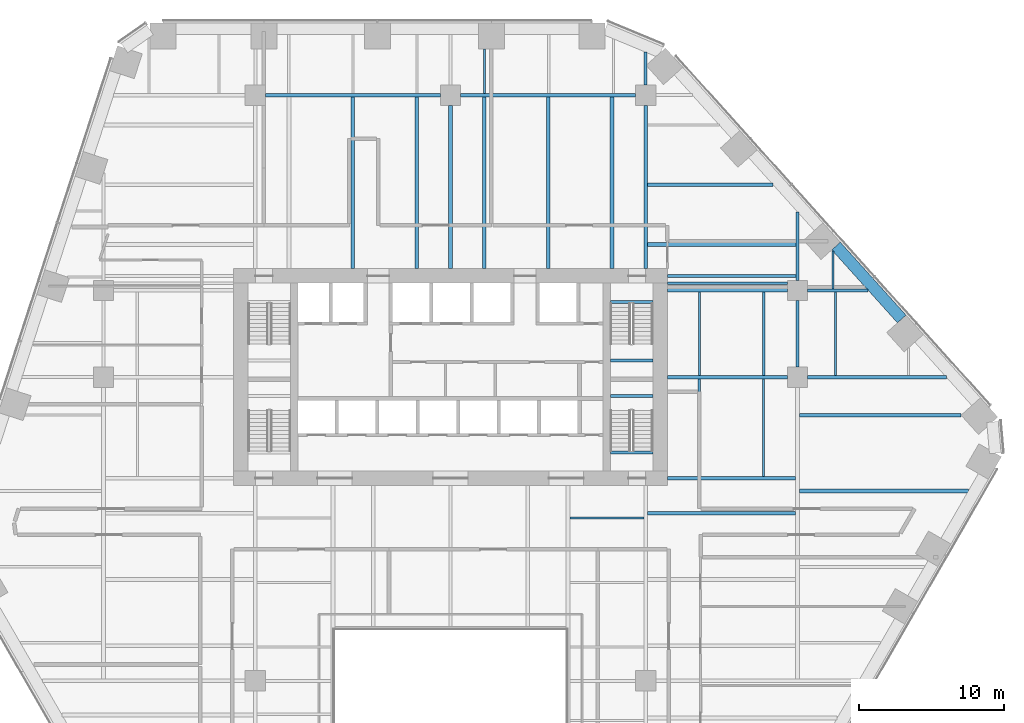
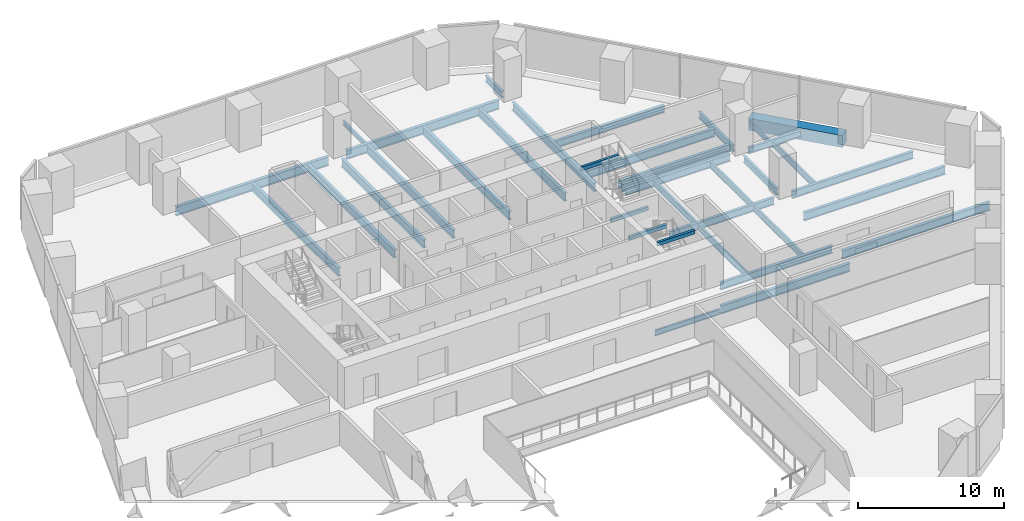
# One storey, part 9 of 20: 37 beams.
"""IFC4 building model written with IfcOpenShell, lengths in metres."""

from ifc_helpers import new_model, si_unit, direction, frame, origin, origin_2d, place, context, subcontext, project, spatial, rectangle, i_section, extrude, material, material_profile, profile_set, type_object, element, save


model = new_model("IFC4")

# Units and contexts
model_context = context("Model", 3, precision=1e-05, world=origin(), true_north=direction((0.0, 1.0)))
body_context = subcontext(model_context, "Body", "Model", "MODEL_VIEW")
ifc_project = project(units=[si_unit("LENGTHUNIT", "METRE"), si_unit("AREAUNIT", "SQUARE_METRE"), si_unit("VOLUMEUNIT", "CUBIC_METRE"), si_unit("PLANEANGLEUNIT", "RADIAN"), si_unit("MASSUNIT", "GRAM", prefix="KILO")], contexts=[model_context])

# Site, building, storey
site_placement = place(None, origin())
site = spatial("IfcSite", under=ifc_project, at=site_placement, CompositionType="ELEMENT")
building_placement = place(site_placement, origin())
building = spatial("IfcBuilding", under=site, at=building_placement, Name="Isthmus Gate Tower", CompositionType="ELEMENT")
storey_placement = place(building_placement, frame((0.0, 0.0, 65.199951171875)))
storey = spatial("IfcBuildingStorey", under=building, at=storey_placement, Name="L14", CompositionType="ELEMENT", Elevation=65.199951171875)

# Beams
ifc_material_1 = material(Name="Concrete f'c 70 MPa", Category="concrete")
ifc_material_profile_1 = material_profile(ifc_material_1, rectangle(XDim=0.800048828125, YDim=1.0, at=origin_2d()), Name="RC 800X1000")
ifc_profile_set_1 = profile_set([ifc_material_profile_1], Name="Concrete f'c 70 MPa")
beam_type_1 = type_object("IfcBeamType", Name="RC SPANDREL 800 X 1000", PredefinedType="SPANDREL", material=ifc_profile_set_1)
beam_1_placement = place(storey_placement, frame((26.664794921875, 16.566162109375, -0.5), z_axis=(0.669117690519, -0.743156454748, 0.0), x_axis=(0.743156454748, 0.669117690519, 0.0)))
element("IfcBeam", 1, at=beam_1_placement, inside=storey, type_object=beam_type_1, Name="str-spandrel-L14-03", PredefinedType="SPANDREL", context=body_context, shape_type="SweptSolid", body=[
    extrude(rectangle(XDim=0.800048828125, YDim=1.0, at=origin_2d()), origin(), (0.0, 0.0, 1.0), 6.78955078125),
])
ifc_material_2 = material(Name="Concrete f'c 40 MPa", Category="concrete")
ifc_material_profile_2 = material_profile(ifc_material_2, rectangle(XDim=0.199951171875, YDim=0.300048828125, at=origin_2d()), Name="STAIR LANDING BEAM RC 200 X 300")
ifc_profile_set_2 = profile_set([ifc_material_profile_2], Name="Concrete f'c 40 MPa")
beam_type_2 = type_object("IfcBeamType", Name="STAIR LANDING BEAM RC 200 X 300", PredefinedType="BEAM", material=ifc_profile_set_2)
for number, where, z_axis, x_axis, name in (
    (2, (11.050048828125, 8.64990234375, 1.47509765625), (1.0, 0.0, 0.0), (0.0, 1.0, 0.0), "L14 ST2 landing beam 1"),
    (3, (11.050048828125, 12.7001953125, 3.35009765625), (1.0, 0.0, 0.0), (0.0, 1.0, 0.0), "L14 ST2 floor-edge seat beam"),
    (4, (11.050048828125, 6.199951171875, 1.47509765625), (1.0, 0.0, 0.0), (0.0, 1.0, 0.0), "L14 ST8 landing beam 1"),
    (5, (11.050048828125, 2.2998046875, 3.35009765625), (1.0, 0.0, 0.0), (0.0, 1.0, 0.0), "L14 ST8 floor-edge seat beam"),
):
    element("IfcBeam", number, at=place(storey_placement, frame(where, z_axis=z_axis, x_axis=x_axis)), inside=storey, type_object=beam_type_2, Name=name, PredefinedType="BEAM", context=body_context, shape_type="SweptSolid", body=[
        extrude(rectangle(XDim=0.199951171875, YDim=0.300048828125, at=origin_2d()), origin(), (0.0, 0.0, 1.0), 2.949951171875),
    ])
ifc_material_3 = material(Name="Structural steel ASTM A992 Gr 50", Category="steel")
ifc_material_profile_3 = material_profile(ifc_material_3, i_section(OverallWidth=0.1396484375, OverallDepth=0.4033203125, WebThickness=0.00634765625, FlangeThickness=0.010986328125, at=origin_2d()), Name="W16X31")
ifc_profile_set_3 = profile_set([ifc_material_profile_3], Name="Structural steel ASTM A992 Gr 50")
beam_type_3 = type_object("IfcBeamType", Name="STEEL FLOOR BEAM W16X31", PredefinedType="JOIST", material=ifc_profile_set_3)
beam_2_placement = place(storey_placement, frame((2.33740234375, 27.1318359375, -0.3515625), z_axis=(0.0, 1.0, 0.0), x_axis=(-1.0, 0.0, 0.0)))
element("IfcBeam", 6, at=beam_2_placement, inside=storey, type_object=beam_type_3, Name="str-beam-L14-19-00", PredefinedType="JOIST", context=body_context, shape_type="SweptSolid", body=[
    extrude(i_section(OverallWidth=0.1396484375, OverallDepth=0.4033203125, WebThickness=0.00634765625, FlangeThickness=0.010986328125, at=origin_2d()), origin(), (0.0, 0.0, 1.0), 3.068115234375),
])
beam_3_placement = place(storey_placement, frame((26.448974609375, 13.604736328125, -0.3515625), z_axis=(0.0, 1.0, 0.0), x_axis=(-1.0, 0.0, 0.0)))
element("IfcBeam", 7, at=beam_3_placement, inside=storey, type_object=beam_type_3, Name="str-beam-L14-32-00", PredefinedType="JOIST", context=body_context, shape_type="SweptSolid", body=[
    extrude(i_section(OverallWidth=0.1396484375, OverallDepth=0.4033203125, WebThickness=0.00634765625, FlangeThickness=0.010986328125, at=origin_2d()), origin(), (0.0, 0.0, 1.0), 2.603515625),
])
ifc_material_4 = material(Name="Structural steel ASTM A992 Gr 50", Category="steel")
ifc_material_profile_4 = material_profile(ifc_material_4, i_section(OverallWidth=0.15234375, OverallDepth=0.45068359375, WebThickness=0.0078125, FlangeThickness=0.010986328125, at=origin_2d()), Name="W18X35")
ifc_profile_set_4 = profile_set([ifc_material_profile_4], Name="Structural steel ASTM A992 Gr 50")
beam_type_4 = type_object("IfcBeamType", Name="STEEL FLOOR BEAM W18X35", PredefinedType="JOIST", material=ifc_profile_set_4)
beam_4_placement = place(storey_placement, frame((8.263427734375, -2.232421875, -0.375244140625), z_axis=(1.0, 0.0, 0.0), x_axis=(0.0, 1.0, 0.0)))
element("IfcBeam", 8, at=beam_4_placement, inside=storey, type_object=beam_type_4, Name="str-beam-L14-23-02", PredefinedType="JOIST", context=body_context, shape_type="SweptSolid", body=[
    extrude(i_section(OverallWidth=0.15234375, OverallDepth=0.45068359375, WebThickness=0.0078125, FlangeThickness=0.010986328125, at=origin_2d()), origin(), (0.0, 0.0, 1.0), 5.104736328125),
])
ifc_material_5 = material(Name="Structural steel ASTM A992 Gr 50", Category="steel")
ifc_material_profile_5 = material_profile(ifc_material_5, i_section(OverallWidth=0.1650390625, OverallDepth=0.52392578125, WebThickness=0.009521484375, FlangeThickness=0.010986328125, at=origin_2d()), Name="W21X44")
ifc_profile_set_5 = profile_set([ifc_material_profile_5], Name="Structural steel ASTM A992 Gr 50")
beam_type_5 = type_object("IfcBeamType", Name="STEEL FLOOR BEAM W21X44", PredefinedType="JOIST", material=ifc_profile_set_5)
for number, where, z_axis, x_axis, name in (
    (9, (17.223876953125, 7.6142578125, -0.411865234375), (0.0, 1.0, 0.0), (-1.0, 0.0, 0.0), "str-beam-L14-30-00"),
    (10, (21.67138671875, 7.6142578125, -0.411865234375), (0.0, 1.0, 0.0), (-1.0, 0.0, 0.0), "str-beam-L14-30-01"),
):
    element("IfcBeam", number, at=place(storey_placement, frame(where, z_axis=z_axis, x_axis=x_axis)), inside=storey, type_object=beam_type_5, Name=name, PredefinedType="JOIST", context=body_context, shape_type="SweptSolid", body=[
        extrude(i_section(OverallWidth=0.1650390625, OverallDepth=0.52392578125, WebThickness=0.009521484375, FlangeThickness=0.010986328125, at=origin_2d()), origin(), (0.0, 0.0, 1.0), 5.771484375),
    ])
for number, where, z_axis, x_axis, name in (
    (11, (17.216552734375, 0.6142578125, -0.411865234375), (0.0, 1.0, 0.0), (-1.0, 0.0, 0.0), "str-beam-L14-31-00"),
    (12, (21.64990234375, 0.6142578125, -0.411865234375), (0.0, 1.0, 0.0), (-1.0, 0.0, 0.0), "str-beam-L14-31-01"),
):
    element("IfcBeam", number, at=place(storey_placement, frame(where, z_axis=z_axis, x_axis=x_axis)), inside=storey, type_object=beam_type_5, Name=name, PredefinedType="JOIST", context=body_context, shape_type="SweptSolid", body=[
        extrude(i_section(OverallWidth=0.1650390625, OverallDepth=0.52392578125, WebThickness=0.009521484375, FlangeThickness=0.010986328125, at=origin_2d()), origin(), (0.0, 0.0, 1.0), 6.771484375),
    ])
beam_5_placement = place(storey_placement, frame((26.625244140625, 7.6142578125, -0.411865234375), z_axis=(0.0, 1.0, 0.0), x_axis=(-1.0, 0.0, 0.0)))
element("IfcBeam", 13, at=beam_5_placement, inside=storey, type_object=beam_type_5, Name="str-beam-L14-33-00", PredefinedType="JOIST", context=body_context, shape_type="SweptSolid", body=[
    extrude(i_section(OverallWidth=0.1650390625, OverallDepth=0.52392578125, WebThickness=0.009521484375, FlangeThickness=0.010986328125, at=origin_2d()), origin(), (0.0, 0.0, 1.0), 5.781005859375),
])
ifc_material_6 = material(Name="Structural steel ASTM A992 Gr 50", Category="steel")
ifc_material_profile_6 = material_profile(ifc_material_6, i_section(OverallWidth=0.177734375, OverallDepth=0.60009765625, WebThickness=0.009521484375, FlangeThickness=0.0126953125, at=origin_2d()), Name="W24X55")
ifc_profile_set_6 = profile_set([ifc_material_profile_6], Name="Structural steel ASTM A992 Gr 50")
beam_type_6 = type_object("IfcBeamType", Name="STEEL FLOOR BEAM W24X55", PredefinedType="JOIST", material=ifc_profile_set_6)
beam_6_placement = place(storey_placement, frame((15.0, 14.0, -0.449951171875), z_axis=(1.0, 0.0, 0.0), x_axis=(0.0, 1.0, 0.0)))
element("IfcBeam", 14, at=beam_6_placement, inside=storey, type_object=beam_type_6, Name="str-beam-L14-29-00", PredefinedType="JOIST", context=body_context, shape_type="SweptSolid", body=[
    extrude(i_section(OverallWidth=0.177734375, OverallDepth=0.60009765625, WebThickness=0.009521484375, FlangeThickness=0.0126953125, at=origin_2d()), origin(), (0.0, 0.0, 1.0), 8.300048828125),
])
ifc_material_7 = material(Name="Structural steel ASTM A992 Gr 50", Category="steel")
ifc_material_profile_7 = material_profile(ifc_material_7, i_section(OverallWidth=0.228515625, OverallDepth=0.603271484375, WebThickness=0.010986328125, FlangeThickness=0.014404296875, at=origin_2d()), Name="W24X68")
ifc_profile_set_7 = profile_set([ifc_material_profile_7], Name="Structural steel ASTM A992 Gr 50")
beam_type_7 = type_object("IfcBeamType", Name="STEEL FLOOR BEAM W24X68", PredefinedType="JOIST", material=ifc_profile_set_7)
beam_7_placement = place(storey_placement, frame((13.626953125, 20.80712890625, -0.45166015625), z_axis=(1.0, 0.0, 0.0), x_axis=(0.0, 1.0, 0.0)))
element("IfcBeam", 15, at=beam_7_placement, inside=storey, type_object=beam_type_7, Name="str-beam-L14-26-01", PredefinedType="JOIST", context=body_context, shape_type="SweptSolid", body=[
    extrude(i_section(OverallWidth=0.228515625, OverallDepth=0.603271484375, WebThickness=0.010986328125, FlangeThickness=0.014404296875, at=origin_2d()), origin(), (0.0, 0.0, 1.0), 8.680908203125),
])
ifc_material_8 = material(Name="Structural steel ASTM A992 Gr 50", Category="steel")
ifc_material_profile_8 = material_profile(ifc_material_8, i_section(OverallWidth=0.25390625, OverallDepth=0.679443359375, WebThickness=0.010986328125, FlangeThickness=0.015869140625, at=origin_2d()), Name="W27X84")
ifc_profile_set_8 = profile_set([ifc_material_profile_8], Name="Structural steel ASTM A992 Gr 50")
beam_type_8 = type_object("IfcBeamType", Name="STEEL FLOOR BEAM W27X84", PredefinedType="JOIST", material=ifc_profile_set_8)
for number, where, z_axis, x_axis, name in (
    (16, (-6.75, 15.0, -0.48974609375), (0.0, 1.0, 0.0), (-1.0, 0.0, 0.0), "str-beam-L14-13-01"),
    (17, (-2.334716796875, 15.0, -0.48974609375), (0.0, 1.0, 0.0), (-1.0, 0.0, 0.0), "str-beam-L14-13-02"),
    (18, (2.334716796875, 15.0, -0.48974609375), (0.0, 1.0, 0.0), (-1.0, 0.0, 0.0), "str-beam-L14-20-00"),
    (19, (6.75, 15.0, -0.48974609375), (0.0, 1.0, 0.0), (-1.0, 0.0, 0.0), "str-beam-L14-20-01"),
    (20, (11.165283203125, 15.0, -0.48974609375), (0.0, 1.0, 0.0), (-1.0, 0.0, 0.0), "str-beam-L14-20-02"),
):
    element("IfcBeam", number, at=place(storey_placement, frame(where, z_axis=z_axis, x_axis=x_axis)), inside=storey, type_object=beam_type_8, Name=name, PredefinedType="JOIST", context=body_context, shape_type="SweptSolid", body=[
        extrude(i_section(OverallWidth=0.25390625, OverallDepth=0.679443359375, WebThickness=0.010986328125, FlangeThickness=0.015869140625, at=origin_2d()), origin(), (0.0, 0.0, 1.0), 11.8681640625),
    ])
beam_8_placement = place(storey_placement, frame((13.626953125, 16.678466796875, -0.48974609375), z_axis=(1.0, 0.0, 0.0), x_axis=(0.0, 1.0, 0.0)))
element("IfcBeam", 21, at=beam_8_placement, inside=storey, type_object=beam_type_8, Name="str-beam-L14-26-00", PredefinedType="JOIST", context=body_context, shape_type="SweptSolid", body=[
    extrude(i_section(OverallWidth=0.25390625, OverallDepth=0.679443359375, WebThickness=0.010986328125, FlangeThickness=0.015869140625, at=origin_2d()), origin(), (0.0, 0.0, 1.0), 10.268310546875),
])
beam_9_placement = place(storey_placement, frame((13.6318359375, -1.90625, -0.48974609375), z_axis=(1.0, 0.0, 0.0), x_axis=(0.0, 1.0, 0.0)))
element("IfcBeam", 22, at=beam_9_placement, inside=storey, type_object=beam_type_8, Name="str-beam-L14-27-02", PredefinedType="JOIST", context=body_context, shape_type="SweptSolid", body=[
    extrude(i_section(OverallWidth=0.25390625, OverallDepth=0.679443359375, WebThickness=0.010986328125, FlangeThickness=0.015869140625, at=origin_2d()), origin(), (0.0, 0.0, 1.0), 10.23486328125),
])
beam_10_placement = place(storey_placement, frame((24.13330078125, -0.375, -0.48974609375), z_axis=(1.0, 0.0, 0.0), x_axis=(0.0, 1.0, 0.0)))
element("IfcBeam", 23, at=beam_10_placement, inside=storey, type_object=beam_type_8, Name="str-beam-L14-34-02", PredefinedType="JOIST", context=body_context, shape_type="SweptSolid", body=[
    extrude(i_section(OverallWidth=0.25390625, OverallDepth=0.679443359375, WebThickness=0.010986328125, FlangeThickness=0.015869140625, at=origin_2d()), origin(), (0.0, 0.0, 1.0), 11.6767578125),
])
beam_11_placement = place(storey_placement, frame((24.13330078125, 4.875, -0.48974609375), z_axis=(1.0, 0.0, 0.0), x_axis=(0.0, 1.0, 0.0)))
element("IfcBeam", 24, at=beam_11_placement, inside=storey, type_object=beam_type_8, Name="str-beam-L14-34-03", PredefinedType="JOIST", context=body_context, shape_type="SweptSolid", body=[
    extrude(i_section(OverallWidth=0.25390625, OverallDepth=0.679443359375, WebThickness=0.010986328125, FlangeThickness=0.015869140625, at=origin_2d()), origin(), (0.0, 0.0, 1.0), 11.185302734375),
])
ifc_material_9 = material(Name="Structural steel ASTM A992 Gr 50", Category="steel")
ifc_material_profile_9 = material_profile(ifc_material_9, i_section(OverallWidth=0.20947265625, OverallDepth=0.533447265625, WebThickness=0.009521484375, FlangeThickness=0.015869140625, at=origin_2d()), Name="W21X62")
ifc_profile_set_9 = profile_set([ifc_material_profile_9], Name="Structural steel ASTM A992 Gr 50")
beam_type_9 = type_object("IfcBeamType", Name="STEEL GIRDER W21X62", PredefinedType="BEAM", material=ifc_profile_set_9)
beam_12_placement = place(storey_placement, frame((24.699951171875, 13.5, -0.416748046875), z_axis=(1.0, 0.0, 0.0), x_axis=(0.0, 1.0, 0.0)))
element("IfcBeam", 25, at=beam_12_placement, inside=storey, type_object=beam_type_9, Name="str-girder-L14-15", PredefinedType="BEAM", context=body_context, shape_type="SweptSolid", body=[
    extrude(i_section(OverallWidth=0.20947265625, OverallDepth=0.533447265625, WebThickness=0.009521484375, FlangeThickness=0.015869140625, at=origin_2d()), origin(), (0.0, 0.0, 1.0), 4.187255859375),
])
beam_13_placement = place(storey_placement, frame((13.5, 27.699951171875, -0.416748046875), z_axis=(0.0, 1.0, 0.0), x_axis=(-1.0, 0.0, 0.0)))
element("IfcBeam", 26, at=beam_13_placement, inside=storey, type_object=beam_type_9, Name="str-girder-L14-34", PredefinedType="BEAM", context=body_context, shape_type="SweptSolid", body=[
    extrude(i_section(OverallWidth=0.20947265625, OverallDepth=0.533447265625, WebThickness=0.009521484375, FlangeThickness=0.015869140625, at=origin_2d()), origin(), (0.0, 0.0, 1.0), 2.27001953125),
])
beam_14_placement = place(storey_placement, frame((24.0, 8.199951171875, -0.416748046875), z_axis=(0.0, 1.0, 0.0), x_axis=(-1.0, 0.0, 0.0)))
element("IfcBeam", 27, at=beam_14_placement, inside=storey, type_object=beam_type_9, Name="str-girder-L14-36", PredefinedType="BEAM", context=body_context, shape_type="SweptSolid", body=[
    extrude(i_section(OverallWidth=0.20947265625, OverallDepth=0.533447265625, WebThickness=0.009521484375, FlangeThickness=0.015869140625, at=origin_2d()), origin(), (0.0, 0.0, 1.0), 4.60009765625),
])
beam_15_placement = place(storey_placement, frame((24.0, 14.199951171875, -0.416748046875), z_axis=(0.0, 1.0, 0.0), x_axis=(-1.0, 0.0, 0.0)))
element("IfcBeam", 28, at=beam_15_placement, inside=storey, type_object=beam_type_9, Name="str-girder-L14-37", PredefinedType="BEAM", context=body_context, shape_type="SweptSolid", body=[
    extrude(i_section(OverallWidth=0.20947265625, OverallDepth=0.533447265625, WebThickness=0.009521484375, FlangeThickness=0.015869140625, at=origin_2d()), origin(), (0.0, 0.0, 1.0), 4.72802734375),
])
ifc_material_10 = material(Name="Structural steel ASTM A992 Gr 50", Category="steel")
ifc_material_profile_10 = material_profile(ifc_material_10, i_section(OverallWidth=0.228515625, OverallDepth=0.6064453125, WebThickness=0.010986328125, FlangeThickness=0.017578125, at=origin_2d()), Name="W24X76")
ifc_profile_set_10 = profile_set([ifc_material_profile_10], Name="Structural steel ASTM A992 Gr 50")
beam_type_10 = type_object("IfcBeamType", Name="STEEL GIRDER W24X76", PredefinedType="BEAM", material=ifc_profile_set_10)
beam_16_placement = place(storey_placement, frame((15.0, 7.5, -0.453125), z_axis=(1.0, 0.0, 0.0), x_axis=(0.0, 1.0, 0.0)))
element("IfcBeam", 29, at=beam_16_placement, inside=storey, type_object=beam_type_10, Name="str-girder-L14-11", PredefinedType="BEAM", context=body_context, shape_type="SweptSolid", body=[
    extrude(i_section(OverallWidth=0.228515625, OverallDepth=0.6064453125, WebThickness=0.010986328125, FlangeThickness=0.017578125, at=origin_2d()), origin(), (0.0, 0.0, 1.0), 8.300048828125),
])
beam_17_placement = place(storey_placement, frame((24.699951171875, 7.5, -0.453125), z_axis=(1.0, 0.0, 0.0), x_axis=(0.0, 1.0, 0.0)))
element("IfcBeam", 30, at=beam_17_placement, inside=storey, type_object=beam_type_10, Name="str-girder-L14-12", PredefinedType="BEAM", context=body_context, shape_type="SweptSolid", body=[
    extrude(i_section(OverallWidth=0.228515625, OverallDepth=0.6064453125, WebThickness=0.010986328125, FlangeThickness=0.017578125, at=origin_2d()), origin(), (0.0, 0.0, 1.0), 9.58984375),
])
beam_18_placement = place(storey_placement, frame((15.0, 13.5, -0.453125), z_axis=(1.0, 0.0, 0.0), x_axis=(0.0, 1.0, 0.0)))
element("IfcBeam", 31, at=beam_18_placement, inside=storey, type_object=beam_type_10, Name="str-girder-L14-14", PredefinedType="BEAM", context=body_context, shape_type="SweptSolid", body=[
    extrude(i_section(OverallWidth=0.228515625, OverallDepth=0.6064453125, WebThickness=0.010986328125, FlangeThickness=0.017578125, at=origin_2d()), origin(), (0.0, 0.0, 1.0), 8.300048828125),
])
beam_19_placement = place(storey_placement, frame((15.0, 0.5, -0.453125), z_axis=(1.0, 0.0, 0.0), x_axis=(0.0, 1.0, 0.0)))
element("IfcBeam", 32, at=beam_19_placement, inside=storey, type_object=beam_type_10, Name="str-girder-L14-39", PredefinedType="BEAM", context=body_context, shape_type="SweptSolid", body=[
    extrude(i_section(OverallWidth=0.228515625, OverallDepth=0.6064453125, WebThickness=0.010986328125, FlangeThickness=0.017578125, at=origin_2d()), origin(), (0.0, 0.0, 1.0), 8.86669921875),
])
beam_20_placement = place(storey_placement, frame((15.0, 14.5, -0.453125), z_axis=(1.0, 0.0, 0.0), x_axis=(0.0, 1.0, 0.0)))
element("IfcBeam", 33, at=beam_20_placement, inside=storey, type_object=beam_type_10, Name="str-girder-L14-41", PredefinedType="BEAM", context=body_context, shape_type="SweptSolid", body=[
    extrude(i_section(OverallWidth=0.228515625, OverallDepth=0.6064453125, WebThickness=0.010986328125, FlangeThickness=0.017578125, at=origin_2d()), origin(), (0.0, 0.0, 1.0), 8.895263671875),
])
ifc_material_11 = material(Name="Structural steel ASTM A992 Gr 50", Category="steel")
ifc_material_profile_11 = material_profile(ifc_material_11, i_section(OverallWidth=0.25390625, OverallDepth=0.679443359375, WebThickness=0.010986328125, FlangeThickness=0.015869140625, at=origin_2d()), Name="W27X84")
ifc_profile_set_11 = profile_set([ifc_material_profile_11], Name="Structural steel ASTM A992 Gr 50")
beam_type_11 = type_object("IfcBeamType", Name="STEEL GIRDER W27X84", PredefinedType="BEAM", material=ifc_profile_set_11)
for number, where, z_axis, x_axis, name in (
    (34, (0.0, 15.0, -0.48974609375), (0.0, 1.0, 0.0), (-1.0, 0.0, 0.0), "str-girder-L14-29"),
    (35, (13.5, 15.0, -0.48974609375), (0.0, 1.0, 0.0), (-1.0, 0.0, 0.0), "str-girder-L14-33"),
):
    element("IfcBeam", number, at=place(storey_placement, frame(where, z_axis=z_axis, x_axis=x_axis)), inside=storey, type_object=beam_type_11, Name=name, PredefinedType="BEAM", context=body_context, shape_type="SweptSolid", body=[
        extrude(i_section(OverallWidth=0.25390625, OverallDepth=0.679443359375, WebThickness=0.010986328125, FlangeThickness=0.015869140625, at=origin_2d()), origin(), (0.0, 0.0, 1.0), 11.300048828125),
    ])
ifc_material_12 = material(Name="Structural steel ASTM A992 Gr 50", Category="steel")
ifc_material_profile_12 = material_profile(ifc_material_12, i_section(OverallWidth=0.263427734375, OverallDepth=0.749267578125, WebThickness=0.0126953125, FlangeThickness=0.015869140625, at=origin_2d()), Name="W30X90")
ifc_profile_set_12 = profile_set([ifc_material_profile_12], Name="Structural steel ASTM A992 Gr 50")
beam_type_12 = type_object("IfcBeamType", Name="STEEL GIRDER W30X90", PredefinedType="BEAM", material=ifc_profile_set_12)
for number, where, z_axis, x_axis, name in (
    (36, (-12.800048828125, 27.0, -0.524658203125), (1.0, 0.0, 0.0), (0.0, 1.0, 0.0), "str-girder-L14-17"),
    (37, (0.699951171875, 27.0, -0.524658203125), (1.0, 0.0, 0.0), (0.0, 1.0, 0.0), "str-girder-L14-18"),
):
    element("IfcBeam", number, at=place(storey_placement, frame(where, z_axis=z_axis, x_axis=x_axis)), inside=storey, type_object=beam_type_12, Name=name, PredefinedType="BEAM", context=body_context, shape_type="SweptSolid", body=[
        extrude(i_section(OverallWidth=0.263427734375, OverallDepth=0.749267578125, WebThickness=0.0126953125, FlangeThickness=0.015869140625, at=origin_2d()), origin(), (0.0, 0.0, 1.0), 12.10009765625),
    ])

save(model, "model.ifc")
